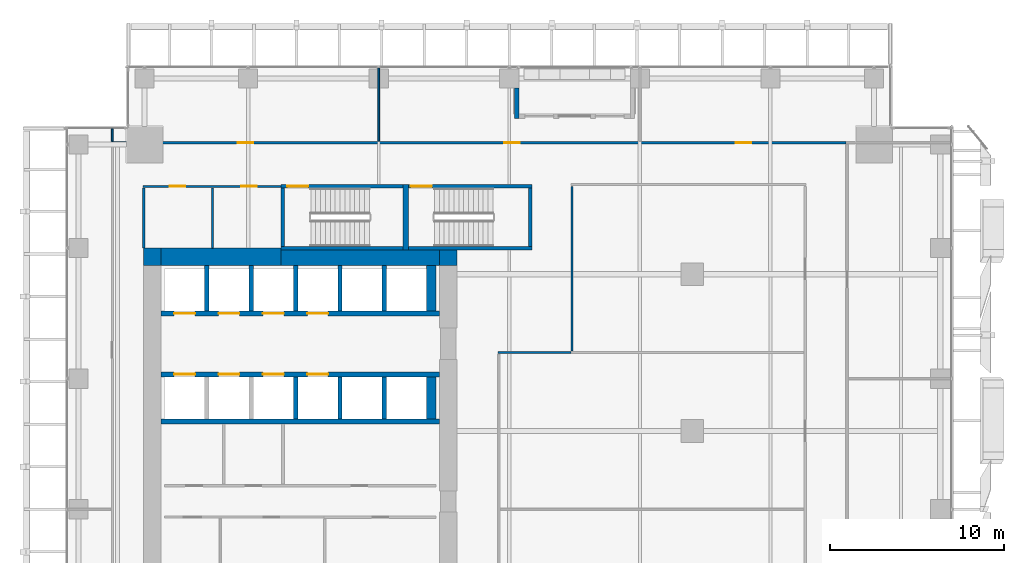
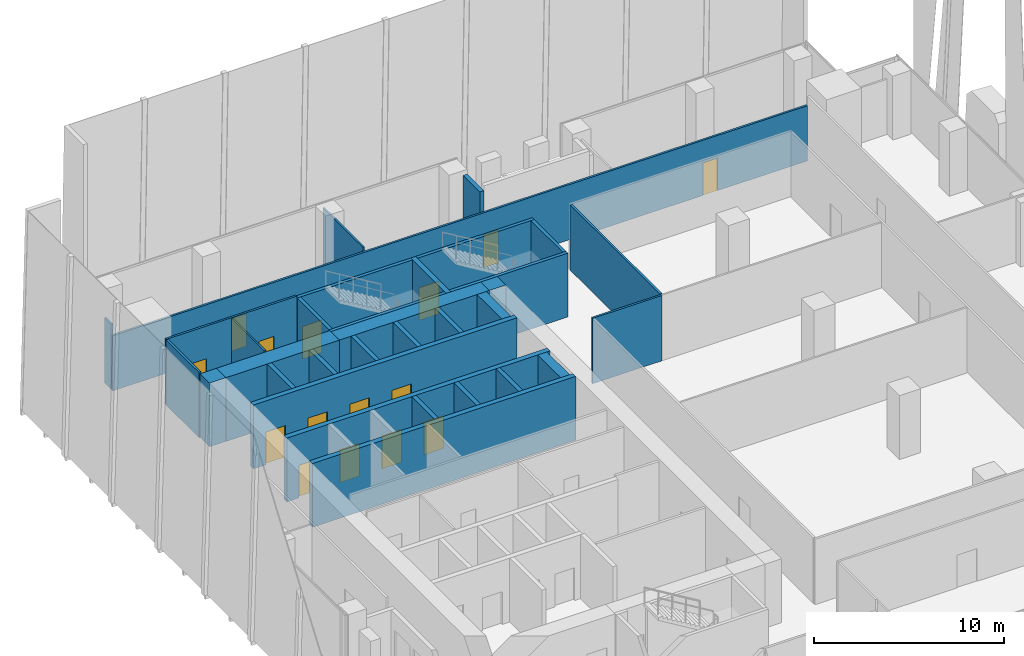
# One storey, part 28 of 34: 33 walls, 15 doors, 15 openings.
"""IFC4 building model written with IfcOpenShell, lengths in metres."""

from ifc_helpers import new_model, si_unit, direction, frame, frame_2d, origin, place, context, subcontext, project, spatial, rectangle, extrude, source, transform, mapped, material, layer, layer_set, type_object, element, fill, save


model = new_model("IFC4")

# Units and contexts
model_context = context("Model", 3, precision=1e-05, world=origin(), true_north=direction((0.0, 1.0)))
body_context = subcontext(model_context, "Body", "Model", "MODEL_VIEW")
ifc_project = project(units=[si_unit("LENGTHUNIT", "METRE"), si_unit("AREAUNIT", "SQUARE_METRE"), si_unit("VOLUMEUNIT", "CUBIC_METRE"), si_unit("PLANEANGLEUNIT", "RADIAN"), si_unit("MASSUNIT", "GRAM", prefix="KILO")], contexts=[model_context])

# Site, building, storey
site_placement = place(None, origin())
site = spatial("IfcSite", under=ifc_project, at=site_placement, CompositionType="ELEMENT")
building_placement = place(site_placement, origin())
building = spatial("IfcBuilding", under=site, at=building_placement, Name="Khomas Fold Tower", CompositionType="ELEMENT")
storey_placement = place(building_placement, frame((0.0, 0.0, 114.699951171875)))
storey = spatial("IfcBuildingStorey", under=building, at=storey_placement, Name="L24", CompositionType="ELEMENT", Elevation=114.699951171875)

# Walls
ifc_material_1 = material(Name="Concrete C70/85", Category="concrete")
ifc_layer_1 = layer(ifc_material_1, 1.0)
ifc_layer_set_1 = layer_set([ifc_layer_1], Name="Concrete C70/85")
wall_type_1 = type_object("IfcWallType", Name="Core wall 1000", PredefinedType="SHEAR", material=ifc_layer_set_1)
shared_shape_1 = source(origin(), body_context, "Body", "SweptSolid", [
    extrude(rectangle(XDim=6.89990234375, YDim=1.0, at=frame_2d((3.449951171875, 0.0))), origin(), (0.0, 0.0, 1.0), 4.10009765625),
])
wall_1_placement = place(storey_placement, frame((7.0, 41.5, 0.0), z_axis=(0.0, 0.0, 1.0), x_axis=(1.0, 0.0, 0.0)))
element("IfcWall", 1, at=wall_1_placement, inside=storey, type_object=wall_type_1, Name="Core wall CW-L-N-L21", PredefinedType="SHEAR", context=body_context, shape_type="MappedRepresentation", body=[
    mapped(shared_shape_1, transform((0.0, 0.0, 0.0))),
])
ifc_material_2 = material(Name="Concrete C70/85", Category="concrete")
ifc_layer_2 = layer(ifc_material_2, 0.89990234375)
ifc_layer_set_2 = layer_set([ifc_layer_2], Name="Concrete C70/85")
wall_type_2 = type_object("IfcWallType", Name="Core wall 900", PredefinedType="SHEAR", material=ifc_layer_set_2)
shared_shape_2 = source(origin(), body_context, "Body", "SweptSolid", [
    extrude(rectangle(XDim=9.10009765625, YDim=0.89990234375, at=frame_2d((4.550048828125, 0.0))), origin(), (0.0, 0.0, 1.0), 4.10009765625),
])
wall_2_placement = place(storey_placement, frame((13.89990234375, 41.449951171875, 0.0), z_axis=(0.0, 0.0, 1.0), x_axis=(1.0, 0.0, 0.0)))
element("IfcWall", 2, at=wall_2_placement, inside=storey, type_object=wall_type_2, Name="Core wall CW-L-N-L21-1", PredefinedType="SHEAR", context=body_context, shape_type="MappedRepresentation", body=[
    mapped(shared_shape_2, transform((0.0, 0.0, 0.0))),
])
ifc_material_3 = material(Name="Concrete C70/85", Category="concrete")
ifc_layer_3 = layer(ifc_material_3, 0.89990234375)
ifc_layer_set_3 = layer_set([ifc_layer_3], Name="Concrete C70/85")
wall_type_3 = type_object("IfcWallType", Name="Core corner wall 900", PredefinedType="SHEAR", material=ifc_layer_set_3)
shared_shape_3 = source(origin(), body_context, "Body", "SweptSolid", [
    extrude(rectangle(XDim=1.0, YDim=0.89990234375, at=frame_2d((0.5, 0.0))), origin(), (0.0, 0.0, 1.0), 4.10009765625),
])
wall_3_placement = place(storey_placement, frame((23.0, 41.449951171875, 0.0), z_axis=(0.0, 0.0, 1.0), x_axis=(1.0, 0.0, 0.0)))
element("IfcWall", 3, at=wall_3_placement, inside=storey, type_object=wall_type_3, Name="Core wall CW-L-NE-L21", PredefinedType="SHEAR", context=body_context, shape_type="MappedRepresentation", body=[
    mapped(shared_shape_3, transform((0.0, 0.0, 0.0))),
])
ifc_material_4 = material(Name="Concrete C70/85", Category="concrete")
ifc_layer_4 = layer(ifc_material_4, 1.0)
ifc_layer_set_4 = layer_set([ifc_layer_4], Name="Concrete C70/85")
wall_type_4 = type_object("IfcWallType", Name="Core corner wall 1000", PredefinedType="SHEAR", material=ifc_layer_set_4)
shared_shape_4 = source(origin(), body_context, "Body", "SweptSolid", [
    extrude(rectangle(XDim=1.0, YDim=1.0, at=frame_2d((0.5, 0.0))), origin(), (0.0, 0.0, 1.0), 4.10009765625),
])
wall_4_placement = place(storey_placement, frame((6.0, 41.5, 0.0), z_axis=(0.0, 0.0, 1.0), x_axis=(1.0, 0.0, 0.0)))
element("IfcWall", 4, at=wall_4_placement, inside=storey, type_object=wall_type_4, Name="Core wall CW-L-NW-L21", PredefinedType="SHEAR", context=body_context, shape_type="MappedRepresentation", body=[
    mapped(shared_shape_4, transform((0.0, 0.0, 0.0))),
])

# Wall, opening, door
ifc_material_5 = material(Name="Concrete C50/60", Category="concrete")
ifc_layer_5 = layer(ifc_material_5, 0.199951171875)
ifc_layer_set_5 = layer_set([ifc_layer_5], Name="Concrete C50/60")
wall_type_5 = type_object("IfcWallType", Name="Stair wall 200", PredefinedType="SHEAR", material=ifc_layer_set_5)
shared_shape_5 = source(origin(), body_context, "Body", "SweptSolid", [
    extrude(rectangle(XDim=7.0, YDim=0.199951171875, at=frame_2d((3.5, 0.0))), origin(), (0.0, 0.0, 1.0), 4.10009765625),
])
wall_5_placement = place(storey_placement, frame((13.89990234375, 45.550048828125, 0.0), z_axis=(0.0, 0.0, 1.0), x_axis=(1.0, 0.0, 0.0)))
wall_5 = element("IfcWall", 5, at=wall_5_placement, inside=storey, type_object=wall_type_5, Name="Stair wall SW-ST1-N", PredefinedType="SHEAR", context=body_context, shape_type="MappedRepresentation", body=[
    mapped(shared_shape_5, transform((0.0, 0.0, 0.0))),
])
shared_shape_6 = source(origin(), body_context, "Body", "SweptSolid", [
    extrude(rectangle(XDim=1.199951171875, YDim=2.10009765625, at=frame_2d((0.60009765625, 1.050048828125))), frame((0.0, 0.10986328125, 0.0), z_axis=(0.0, -1.0, 0.0), x_axis=(1.0, 0.0, 0.0)), (0.0, 0.0, 1.0), 0.219970703125),
])
opening_1_placement = place(wall_5_placement, frame((0.35009765625, 0.0, 0.0)))
opening_1 = element("IfcOpeningElement", 6, at=opening_1_placement, cuts=wall_5, Name="Opening SD-ST1", PredefinedType="OPENING", context=body_context, shape_type="MappedRepresentation", body=[
    mapped(shared_shape_6, transform((0.0, 0.0, 0.0))),
])
ifc_material_6 = material(Name="Steel door leaf", Category="steel")
door_type_1 = type_object("IfcDoorType", Name="Stair door 1200x2100 left-hand", OperationType="SINGLE_SWING_LEFT", PredefinedType="DOOR", material=ifc_material_6)
shared_shape_7 = source(origin(), body_context, "Body", "SweptSolid", [
    extrude(rectangle(XDim=1.199951171875, YDim=2.10009765625, at=frame_2d((0.60009765625, 1.050048828125))), frame((0.0, 0.02490234375, 0.0), z_axis=(0.0, -1.0, 0.0), x_axis=(1.0, 0.0, 0.0)), (0.0, 0.0, 1.0), 0.050048828125),
])
door_1_placement = place(opening_1_placement, origin())
door_1 = element("IfcDoor", 7, at=door_1_placement, inside=storey, type_object=door_type_1, Name="Stair door", OperationType="SINGLE_SWING_LEFT", OverallHeight=2.10009765625, OverallWidth=1.199951171875, PredefinedType="DOOR", context=body_context, shape_type="MappedRepresentation", body=[
    mapped(shared_shape_7, transform((0.0, 0.0, 0.0))),
])
fill(opening_1, door_1)

# Wall
wall_6_placement = place(storey_placement, frame((13.89990234375, 42.0, 0.0), z_axis=(0.0, 0.0, 1.0), x_axis=(1.0, 0.0, 0.0)))
element("IfcWall", 8, at=wall_6_placement, inside=storey, type_object=wall_type_5, Name="Stair wall SW-ST1-S", PredefinedType="SHEAR", context=body_context, shape_type="MappedRepresentation", body=[
    mapped(shared_shape_5, transform((0.0, 0.0, 0.0))),
])

# Wall, opening, door
shared_shape_8 = source(origin(), body_context, "Body", "SweptSolid", [
    extrude(rectangle(XDim=7.10009765625, YDim=0.199951171875, at=frame_2d((3.550048828125, 0.0))), origin(), (0.0, 0.0, 1.0), 4.10009765625),
])
wall_7_placement = place(storey_placement, frame((21.199951171875, 45.550048828125, 0.0), z_axis=(0.0, 0.0, 1.0), x_axis=(1.0, 0.0, 0.0)))
wall_7 = element("IfcWall", 9, at=wall_7_placement, inside=storey, type_object=wall_type_5, Name="Stair wall SW-ST3-N", PredefinedType="SHEAR", context=body_context, shape_type="MappedRepresentation", body=[
    mapped(shared_shape_8, transform((0.0, 0.0, 0.0))),
])
opening_2_placement = place(wall_7_placement, frame((0.14990234375, 0.0, 0.0)))
opening_2 = element("IfcOpeningElement", 10, at=opening_2_placement, cuts=wall_7, Name="Opening SD-ST3", PredefinedType="OPENING", context=body_context, shape_type="MappedRepresentation", body=[
    mapped(shared_shape_6, transform((0.0, 0.0, 0.0))),
])
door_2_placement = place(opening_2_placement, origin())
door_2 = element("IfcDoor", 11, at=door_2_placement, inside=storey, type_object=door_type_1, Name="Stair door", OperationType="SINGLE_SWING_LEFT", OverallHeight=2.10009765625, OverallWidth=1.199951171875, PredefinedType="DOOR", context=body_context, shape_type="MappedRepresentation", body=[
    mapped(shared_shape_7, transform((0.0, 0.0, 0.0))),
])
fill(opening_2, door_2)

# Walls
wall_8_placement = place(storey_placement, frame((21.199951171875, 42.0, 0.0), z_axis=(0.0, 0.0, 1.0), x_axis=(1.0, 0.0, 0.0)))
element("IfcWall", 12, at=wall_8_placement, inside=storey, type_object=wall_type_5, Name="Stair wall SW-ST3-S", PredefinedType="SHEAR", context=body_context, shape_type="MappedRepresentation", body=[
    mapped(shared_shape_8, transform((0.0, 0.0, 0.0))),
])
ifc_material_7 = material(Name="Concrete C50/60", Category="concrete")
ifc_layer_6 = layer(ifc_material_7, 0.300048828125)
ifc_layer_set_6 = layer_set([ifc_layer_6], Name="Concrete C50/60")
wall_type_6 = type_object("IfcWallType", Name="Stair wall 300", PredefinedType="SHEAR", material=ifc_layer_set_6)
shared_shape_9 = source(origin(), body_context, "Body", "SweptSolid", [
    extrude(rectangle(XDim=3.75, YDim=0.300048828125, at=frame_2d((1.875, 0.0))), origin(), (0.0, 0.0, 1.0), 4.10009765625),
])
wall_9_placement = place(storey_placement, frame((21.050048828125, 41.89990234375, 0.0), z_axis=(0.0, 0.0, 1.0), x_axis=(0.0, 1.0, 0.0)))
element("IfcWall", 13, at=wall_9_placement, inside=storey, type_object=wall_type_6, Name="Stair wall SW-ST1-E", PredefinedType="SHEAR", context=body_context, shape_type="MappedRepresentation", body=[
    mapped(shared_shape_9, transform((0.0, 0.0, 0.0))),
])
shared_shape_10 = source(origin(), body_context, "Body", "SweptSolid", [
    extrude(rectangle(XDim=3.349853515625, YDim=0.199951171875, at=frame_2d((1.6748046875, 0.0))), origin(), (0.0, 0.0, 1.0), 4.10009765625),
])
for number, where, z_axis, x_axis, name in (
    (14, (14.0, 42.10009765625, 0.0), (0.0, 0.0, 1.0), (0.0, 1.0, 0.0), "Stair wall SW-ST1-W"),
    (15, (28.199951171875, 42.10009765625, 0.0), (0.0, 0.0, 1.0), (0.0, 1.0, 0.0), "Stair wall SW-ST3-E"),
):
    element("IfcWall", number, at=place(storey_placement, frame(where, z_axis=z_axis, x_axis=x_axis)), inside=storey, type_object=wall_type_5, Name=name, PredefinedType="SHEAR", context=body_context, shape_type="MappedRepresentation", body=[
        mapped(shared_shape_10, transform((0.0, 0.0, 0.0))),
    ])
ifc_material_8 = material(Name="Concrete C50/60", Category="concrete")
ifc_layer_7 = layer(ifc_material_8, 0.300048828125)
ifc_layer_set_7 = layer_set([ifc_layer_7], Name="Concrete C50/60")
wall_type_7 = type_object("IfcWallType", Name="Shaft wall 300", PredefinedType="STANDARD", material=ifc_layer_set_7)
shared_shape_11 = source(origin(), body_context, "Body", "SweptSolid", [
    extrude(rectangle(XDim=16.0, YDim=0.300048828125, at=frame_2d((8.0, 0.0))), origin(), (0.0, 0.0, 1.0), 4.10009765625),
])
wall_10_placement = place(storey_placement, frame((7.0, 32.050048828125, 0.0), z_axis=(0.0, 0.0, 1.0), x_axis=(1.0, 0.0, 0.0)))
element("IfcWall", 16, at=wall_10_placement, inside=storey, type_object=wall_type_7, Name="Core wall SW-HRN-B", PredefinedType="STANDARD", context=body_context, shape_type="MappedRepresentation", body=[
    mapped(shared_shape_11, transform((0.0, 0.0, 0.0))),
])

# Wall, openings, doors
wall_11_placement = place(storey_placement, frame((7.0, 38.25, 0.0), z_axis=(0.0, 0.0, 1.0), x_axis=(1.0, 0.0, 0.0)))
wall_11 = element("IfcWall", 17, at=wall_11_placement, inside=storey, type_object=wall_type_7, Name="Core wall SW-LRN-F", PredefinedType="STANDARD", context=body_context, shape_type="MappedRepresentation", body=[
    mapped(shared_shape_11, transform((0.0, 0.0, 0.0))),
])
shared_shape_12 = source(origin(), body_context, "Body", "SweptSolid", [
    extrude(rectangle(XDim=1.199951171875, YDim=2.10009765625, at=frame_2d((0.60009765625, 1.050048828125))), frame((0.0, 0.159912109375, 0.0), z_axis=(0.0, -1.0, 0.0), x_axis=(1.0, 0.0, 0.0)), (0.0, 0.0, 1.0), 0.320068359375),
])
opening_3_placement = place(wall_11_placement, frame((0.75, 0.0, 0.0)))
opening_3 = element("IfcOpeningElement", 18, at=opening_3_placement, cuts=wall_11, Name="Opening LD-LR5", PredefinedType="OPENING", context=body_context, shape_type="MappedRepresentation", body=[
    mapped(shared_shape_12, transform((0.0, 0.0, 0.0))),
])
opening_4_placement = place(wall_11_placement, frame((3.300048828125, 0.0, 0.0)))
opening_4 = element("IfcOpeningElement", 19, at=opening_4_placement, cuts=wall_11, Name="Opening LD-LR6", PredefinedType="OPENING", context=body_context, shape_type="MappedRepresentation", body=[
    mapped(shared_shape_12, transform((0.0, 0.0, 0.0))),
])
opening_5_placement = place(wall_11_placement, frame((5.85009765625, 0.0, 0.0)))
opening_5 = element("IfcOpeningElement", 20, at=opening_5_placement, cuts=wall_11, Name="Opening LD-LR7", PredefinedType="OPENING", context=body_context, shape_type="MappedRepresentation", body=[
    mapped(shared_shape_12, transform((0.0, 0.0, 0.0))),
])
opening_6_placement = place(wall_11_placement, frame((8.39990234375, 0.0, 0.0)))
opening_6 = element("IfcOpeningElement", 21, at=opening_6_placement, cuts=wall_11, Name="Opening LD-LR8", PredefinedType="OPENING", context=body_context, shape_type="MappedRepresentation", body=[
    mapped(shared_shape_12, transform((0.0, 0.0, 0.0))),
])
ifc_material_9 = material(Name="Steel door leaf", Category="steel")
door_type_2 = type_object("IfcDoorType", Name="Landing door 1200x2100", OperationType="DOUBLE_DOOR_SLIDING", PredefinedType="DOOR", material=ifc_material_9)
door_3_placement = place(opening_3_placement, origin())
door_3 = element("IfcDoor", 22, at=door_3_placement, inside=storey, type_object=door_type_2, Name="Lift landing door", OperationType="DOUBLE_DOOR_SLIDING", OverallHeight=2.10009765625, OverallWidth=1.199951171875, PredefinedType="DOOR", context=body_context, shape_type="MappedRepresentation", body=[
    mapped(shared_shape_7, transform((0.0, 0.0, 0.0))),
])
fill(opening_3, door_3)
door_4_placement = place(opening_4_placement, origin())
door_4 = element("IfcDoor", 23, at=door_4_placement, inside=storey, type_object=door_type_2, Name="Lift landing door", OperationType="DOUBLE_DOOR_SLIDING", OverallHeight=2.10009765625, OverallWidth=1.199951171875, PredefinedType="DOOR", context=body_context, shape_type="MappedRepresentation", body=[
    mapped(shared_shape_7, transform((0.0, 0.0, 0.0))),
])
fill(opening_4, door_4)
door_5_placement = place(opening_5_placement, origin())
door_5 = element("IfcDoor", 24, at=door_5_placement, inside=storey, type_object=door_type_2, Name="Lift landing door", OperationType="DOUBLE_DOOR_SLIDING", OverallHeight=2.10009765625, OverallWidth=1.199951171875, PredefinedType="DOOR", context=body_context, shape_type="MappedRepresentation", body=[
    mapped(shared_shape_7, transform((0.0, 0.0, 0.0))),
])
fill(opening_5, door_5)
door_6_placement = place(opening_6_placement, origin())
door_6 = element("IfcDoor", 25, at=door_6_placement, inside=storey, type_object=door_type_2, Name="Lift landing door", OperationType="DOUBLE_DOOR_SLIDING", OverallHeight=2.10009765625, OverallWidth=1.199951171875, PredefinedType="DOOR", context=body_context, shape_type="MappedRepresentation", body=[
    mapped(shared_shape_7, transform((0.0, 0.0, 0.0))),
])
fill(opening_6, door_6)

wall_12_placement = place(storey_placement, frame((7.0, 34.75, 0.0), z_axis=(0.0, 0.0, 1.0), x_axis=(1.0, 0.0, 0.0)))
wall_12 = element("IfcWall", 26, at=wall_12_placement, inside=storey, type_object=wall_type_7, Name="Core wall SW-LRS-F", PredefinedType="STANDARD", context=body_context, shape_type="MappedRepresentation", body=[
    mapped(shared_shape_11, transform((0.0, 0.0, 0.0))),
])
opening_7_placement = place(wall_12_placement, frame((0.75, 0.0, 0.0)))
opening_7 = element("IfcOpeningElement", 27, at=opening_7_placement, cuts=wall_12, Name="Opening LD-LR1", PredefinedType="OPENING", context=body_context, shape_type="MappedRepresentation", body=[
    mapped(shared_shape_12, transform((0.0, 0.0, 0.0))),
])
opening_8_placement = place(wall_12_placement, frame((3.300048828125, 0.0, 0.0)))
opening_8 = element("IfcOpeningElement", 28, at=opening_8_placement, cuts=wall_12, Name="Opening LD-LR2", PredefinedType="OPENING", context=body_context, shape_type="MappedRepresentation", body=[
    mapped(shared_shape_12, transform((0.0, 0.0, 0.0))),
])
opening_9_placement = place(wall_12_placement, frame((5.85009765625, 0.0, 0.0)))
opening_9 = element("IfcOpeningElement", 29, at=opening_9_placement, cuts=wall_12, Name="Opening LD-LR3", PredefinedType="OPENING", context=body_context, shape_type="MappedRepresentation", body=[
    mapped(shared_shape_12, transform((0.0, 0.0, 0.0))),
])
opening_10_placement = place(wall_12_placement, frame((8.39990234375, 0.0, 0.0)))
opening_10 = element("IfcOpeningElement", 30, at=opening_10_placement, cuts=wall_12, Name="Opening LD-LR4", PredefinedType="OPENING", context=body_context, shape_type="MappedRepresentation", body=[
    mapped(shared_shape_12, transform((0.0, 0.0, 0.0))),
])
door_7_placement = place(opening_7_placement, origin())
door_7 = element("IfcDoor", 31, at=door_7_placement, inside=storey, type_object=door_type_2, Name="Lift landing door", OperationType="DOUBLE_DOOR_SLIDING", OverallHeight=2.10009765625, OverallWidth=1.199951171875, PredefinedType="DOOR", context=body_context, shape_type="MappedRepresentation", body=[
    mapped(shared_shape_7, transform((0.0, 0.0, 0.0))),
])
fill(opening_7, door_7)
door_8_placement = place(opening_8_placement, origin())
door_8 = element("IfcDoor", 32, at=door_8_placement, inside=storey, type_object=door_type_2, Name="Lift landing door", OperationType="DOUBLE_DOOR_SLIDING", OverallHeight=2.10009765625, OverallWidth=1.199951171875, PredefinedType="DOOR", context=body_context, shape_type="MappedRepresentation", body=[
    mapped(shared_shape_7, transform((0.0, 0.0, 0.0))),
])
fill(opening_8, door_8)
door_9_placement = place(opening_9_placement, origin())
door_9 = element("IfcDoor", 33, at=door_9_placement, inside=storey, type_object=door_type_2, Name="Lift landing door", OperationType="DOUBLE_DOOR_SLIDING", OverallHeight=2.10009765625, OverallWidth=1.199951171875, PredefinedType="DOOR", context=body_context, shape_type="MappedRepresentation", body=[
    mapped(shared_shape_7, transform((0.0, 0.0, 0.0))),
])
fill(opening_9, door_9)
door_10_placement = place(opening_10_placement, origin())
door_10 = element("IfcDoor", 34, at=door_10_placement, inside=storey, type_object=door_type_2, Name="Lift landing door", OperationType="DOUBLE_DOOR_SLIDING", OverallHeight=2.10009765625, OverallWidth=1.199951171875, PredefinedType="DOOR", context=body_context, shape_type="MappedRepresentation", body=[
    mapped(shared_shape_7, transform((0.0, 0.0, 0.0))),
])
fill(opening_10, door_10)

# Walls
ifc_material_10 = material(Name="Concrete C50/60", Category="concrete")
ifc_layer_8 = layer(ifc_material_10, 0.25)
ifc_layer_set_8 = layer_set([ifc_layer_8], Name="Concrete C50/60")
wall_type_8 = type_object("IfcWallType", Name="Shaft wall 250", PredefinedType="STANDARD", material=ifc_layer_set_8)
shared_shape_13 = source(origin(), body_context, "Body", "SweptSolid", [
    extrude(rectangle(XDim=2.60009765625, YDim=0.25, at=frame_2d((1.300048828125, 0.0))), origin(), (0.0, 0.0, 1.0), 4.10009765625),
])
for number, where, z_axis, x_axis, name in (
    (35, (9.625, 38.39990234375, 0.0), (0.0, 0.0, 1.0), (0.0, 1.0, 0.0), "Core wall SW-LRN-P1"),
    (36, (12.175048828125, 38.39990234375, 0.0), (0.0, 0.0, 1.0), (0.0, 1.0, 0.0), "Core wall SW-LRN-P2"),
    (37, (14.72509765625, 38.39990234375, 0.0), (0.0, 0.0, 1.0), (0.0, 1.0, 0.0), "Core wall SW-LRN-P3"),
    (38, (17.27490234375, 38.39990234375, 0.0), (0.0, 0.0, 1.0), (0.0, 1.0, 0.0), "Core wall SW-LRN-P4"),
    (39, (19.824951171875, 38.39990234375, 0.0), (0.0, 0.0, 1.0), (0.0, 1.0, 0.0), "Core wall SW-LRN-P5"),
):
    element("IfcWall", number, at=place(storey_placement, frame(where, z_axis=z_axis, x_axis=x_axis)), inside=storey, type_object=wall_type_8, Name=name, PredefinedType="STANDARD", context=body_context, shape_type="MappedRepresentation", body=[
        mapped(shared_shape_13, transform((0.0, 0.0, 0.0))),
    ])
ifc_material_11 = material(Name="Concrete C50/60", Category="concrete")
ifc_layer_9 = layer(ifc_material_11, 0.550048828125)
ifc_layer_set_9 = layer_set([ifc_layer_9], Name="Concrete C50/60")
wall_type_9 = type_object("IfcWallType", Name="Shaft wall 550", PredefinedType="STANDARD", material=ifc_layer_set_9)
shared_shape_14 = source(origin(), body_context, "Body", "SweptSolid", [
    extrude(rectangle(XDim=2.60009765625, YDim=0.550048828125, at=frame_2d((1.300048828125, 0.0))), origin(), (0.0, 0.0, 1.0), 4.10009765625),
])
wall_13_placement = place(storey_placement, frame((22.52490234375, 38.39990234375, 0.0), z_axis=(0.0, 0.0, 1.0), x_axis=(0.0, 1.0, 0.0)))
element("IfcWall", 40, at=wall_13_placement, inside=storey, type_object=wall_type_9, Name="Core wall SW-LRN-PE", PredefinedType="STANDARD", context=body_context, shape_type="MappedRepresentation", body=[
    mapped(shared_shape_14, transform((0.0, 0.0, 0.0))),
])
shared_shape_15 = source(origin(), body_context, "Body", "SweptSolid", [
    extrude(rectangle(XDim=2.400146484375, YDim=0.25, at=frame_2d((1.2001953125, 0.0))), origin(), (0.0, 0.0, 1.0), 4.10009765625),
])
for number, where, z_axis, x_axis, name in (
    (41, (14.72509765625, 32.199951171875, 0.0), (0.0, 0.0, 1.0), (0.0, 1.0, 0.0), "Core wall SW-LRS-P3"),
    (42, (17.27490234375, 32.199951171875, 0.0), (0.0, 0.0, 1.0), (0.0, 1.0, 0.0), "Core wall SW-LRS-P4"),
    (43, (19.824951171875, 32.199951171875, 0.0), (0.0, 0.0, 1.0), (0.0, 1.0, 0.0), "Core wall SW-LRS-P5"),
):
    element("IfcWall", number, at=place(storey_placement, frame(where, z_axis=z_axis, x_axis=x_axis)), inside=storey, type_object=wall_type_8, Name=name, PredefinedType="STANDARD", context=body_context, shape_type="MappedRepresentation", body=[
        mapped(shared_shape_15, transform((0.0, 0.0, 0.0))),
    ])
shared_shape_16 = source(origin(), body_context, "Body", "SweptSolid", [
    extrude(rectangle(XDim=2.400146484375, YDim=0.550048828125, at=frame_2d((1.2001953125, 0.0))), origin(), (0.0, 0.0, 1.0), 4.10009765625),
])
wall_14_placement = place(storey_placement, frame((22.52490234375, 32.199951171875, 0.0), z_axis=(0.0, 0.0, 1.0), x_axis=(0.0, 1.0, 0.0)))
element("IfcWall", 44, at=wall_14_placement, inside=storey, type_object=wall_type_9, Name="Core wall SW-LRS-PE", PredefinedType="STANDARD", context=body_context, shape_type="MappedRepresentation", body=[
    mapped(shared_shape_16, transform((0.0, 0.0, 0.0))),
])
ifc_material_12 = material(Name="Natural stone", Category="masonry")
ifc_layer_10 = layer(ifc_material_12, 0.0400390625)
ifc_material_13 = material(Name="Mineral wool insulation", Category="insulation")
ifc_layer_11 = layer(ifc_material_13, 0.10009765625)
ifc_material_14 = material(Name="Masonry", Category="masonry")
ifc_layer_12 = layer(ifc_material_14, 0.110107421875)
ifc_layer_set_10 = layer_set([ifc_layer_10, ifc_layer_11, ifc_layer_12], Name="Stone-faced insulated masonry")
wall_type_10 = type_object("IfcWallType", Name="BL-Balcony wall", PredefinedType="SOLIDWALL", material=ifc_layer_set_10)
shared_shape_17 = source(origin(), body_context, "Body", "SweptSolid", [
    extrude(rectangle(XDim=1.75, YDim=0.25, at=frame_2d((0.875, 0.0))), origin(), (0.0, 0.0, 1.0), 3.800048828125),
])
wall_15_placement = place(storey_placement, frame((27.425048828125, 51.199951171875, 0.0), z_axis=(0.0, 0.0, 1.0), x_axis=(0.0, -1.0, 0.0)))
element("IfcWall", 45, at=wall_15_placement, inside=storey, type_object=wall_type_10, Name="Balcony return wall BAL-L24-N3-lo", PredefinedType="SOLIDWALL", context=body_context, shape_type="MappedRepresentation", body=[
    mapped(shared_shape_17, transform((0.0, 0.0, 0.0))),
])

# Wall, openings, doors
ifc_material_15 = material(Name="Plasterboard partition")
ifc_layer_13 = layer(ifc_material_15, 0.125)
ifc_layer_set_11 = layer_set([ifc_layer_13], Name="Plasterboard partition")
wall_type_11 = type_object("IfcWallType", Name="Partition PW2 125", PredefinedType="PARTITIONING", material=ifc_layer_set_11)
shared_shape_18 = source(origin(), body_context, "Body", "SweptSolid", [
    extrude(rectangle(XDim=7.949951171875, YDim=0.125, at=frame_2d((3.97509765625, 0.0))), origin(), (0.0, 0.0, 1.0), 4.199951171875),
])
wall_16_placement = place(storey_placement, frame((5.949951171875, 45.550048828125, 0.0), z_axis=(0.0, 0.0, 1.0), x_axis=(1.0, 0.0, 0.0)))
wall_16 = element("IfcWall", 46, at=wall_16_placement, inside=storey, type_object=wall_type_11, Name="Partition", PredefinedType="PARTITIONING", context=body_context, shape_type="MappedRepresentation", body=[
    mapped(shared_shape_18, transform((0.0, 0.0, 0.0))),
])
shared_shape_19 = source(origin(), body_context, "Body", "SweptSolid", [
    extrude(rectangle(XDim=0.89990234375, YDim=2.10009765625, at=frame_2d((0.449951171875, 1.050048828125))), frame((0.0, 0.072509765625, 0.0), z_axis=(0.0, -1.0, 0.0), x_axis=(1.0, 0.0, 0.0)), (0.0, 0.0, 1.0), 0.14501953125),
])
opening_11_placement = place(wall_16_placement, frame((1.550048828125, 0.0, 0.0)))
opening_11 = element("IfcOpeningElement", 47, at=opening_11_placement, cuts=wall_16, Name="Opening 0005", PredefinedType="OPENING", context=body_context, shape_type="MappedRepresentation", body=[
    mapped(shared_shape_19, transform((0.0, 0.0, 0.0))),
])
opening_12_placement = place(wall_16_placement, frame((5.64990234375, 0.0, 0.0)))
opening_12 = element("IfcOpeningElement", 48, at=opening_12_placement, cuts=wall_16, Name="Opening 0004", PredefinedType="OPENING", context=body_context, shape_type="MappedRepresentation", body=[
    mapped(shared_shape_19, transform((0.0, 0.0, 0.0))),
])
ifc_material_16 = material(Name="Timber door leaf", Category="wood")
door_type_3 = type_object("IfcDoorType", Name="WC door 900x2100 left-hand", OperationType="SINGLE_SWING_LEFT", PredefinedType="DOOR", material=ifc_material_16)
shared_shape_20 = source(origin(), body_context, "Body", "SweptSolid", [
    extrude(rectangle(XDim=0.89990234375, YDim=2.10009765625, at=frame_2d((0.449951171875, 1.050048828125))), frame((0.0, 0.02490234375, 0.0), z_axis=(0.0, -1.0, 0.0), x_axis=(1.0, 0.0, 0.0)), (0.0, 0.0, 1.0), 0.050048828125),
])
door_11_placement = place(opening_11_placement, origin())
door_11 = element("IfcDoor", 49, at=door_11_placement, inside=storey, type_object=door_type_3, Name="WC door", OperationType="SINGLE_SWING_LEFT", OverallHeight=2.10009765625, OverallWidth=0.89990234375, PredefinedType="DOOR", context=body_context, shape_type="MappedRepresentation", body=[
    mapped(shared_shape_20, transform((0.0, 0.0, 0.0))),
])
fill(opening_11, door_11)
ifc_material_17 = material(Name="Timber door leaf", Category="wood")
door_type_4 = type_object("IfcDoorType", Name="WC door 900x2100 right-hand", OperationType="SINGLE_SWING_RIGHT", PredefinedType="DOOR", material=ifc_material_17)
door_12_placement = place(opening_12_placement, origin())
door_12 = element("IfcDoor", 50, at=door_12_placement, inside=storey, type_object=door_type_4, Name="WC door", OperationType="SINGLE_SWING_RIGHT", OverallHeight=2.10009765625, OverallWidth=0.89990234375, PredefinedType="DOOR", context=body_context, shape_type="MappedRepresentation", body=[
    mapped(shared_shape_20, transform((0.0, 0.0, 0.0))),
])
fill(opening_12, door_12)

# Walls
shared_shape_21 = source(origin(), body_context, "Body", "SweptSolid", [
    extrude(rectangle(XDim=4.199951171875, YDim=0.125, at=frame_2d((2.10009765625, 0.0))), origin(), (0.0, 0.0, 1.0), 4.199951171875),
])
wall_17_placement = place(storey_placement, frame((26.35009765625, 36.0, 0.0), z_axis=(0.0, 0.0, 1.0), x_axis=(1.0, 0.0, 0.0)))
element("IfcWall", 51, at=wall_17_placement, inside=storey, type_object=wall_type_11, Name="Partition", PredefinedType="PARTITIONING", context=body_context, shape_type="MappedRepresentation", body=[
    mapped(shared_shape_21, transform((0.0, 0.0, 0.0))),
])
shared_shape_22 = source(origin(), body_context, "Body", "SweptSolid", [
    extrude(rectangle(XDim=9.449951171875, YDim=0.125, at=frame_2d((4.72509765625, 0.0))), origin(), (0.0, 0.0, 1.0), 4.199951171875),
])
wall_18_placement = place(storey_placement, frame((30.60009765625, 36.10009765625, 0.0), z_axis=(0.0, 0.0, 1.0), x_axis=(0.0, 1.0, 0.0)))
element("IfcWall", 52, at=wall_18_placement, inside=storey, type_object=wall_type_11, Name="Partition", PredefinedType="PARTITIONING", context=body_context, shape_type="MappedRepresentation", body=[
    mapped(shared_shape_22, transform((0.0, 0.0, 0.0))),
])
shared_shape_23 = source(origin(), body_context, "Body", "SweptSolid", [
    extrude(rectangle(XDim=3.449951171875, YDim=0.125, at=frame_2d((1.72509765625, 0.0))), origin(), (0.0, 0.0, 1.0), 4.199951171875),
])
wall_19_placement = place(storey_placement, frame((6.0, 42.0, 0.0), z_axis=(0.0, 0.0, 1.0), x_axis=(0.0, 1.0, 0.0)))
element("IfcWall", 53, at=wall_19_placement, inside=storey, type_object=wall_type_11, Name="Partition", PredefinedType="PARTITIONING", context=body_context, shape_type="MappedRepresentation", body=[
    mapped(shared_shape_23, transform((0.0, 0.0, 0.0))),
])
ifc_material_18 = material(Name="Plasterboard partition")
ifc_layer_14 = layer(ifc_material_18, 0.10009765625)
ifc_layer_set_12 = layer_set([ifc_layer_14], Name="Plasterboard partition")
wall_type_12 = type_object("IfcWallType", Name="Partition PW1 100", PredefinedType="PARTITIONING", material=ifc_layer_set_12)
shared_shape_24 = source(origin(), body_context, "Body", "SweptSolid", [
    extrude(rectangle(XDim=3.449951171875, YDim=0.10009765625, at=frame_2d((1.72509765625, 0.0))), origin(), (0.0, 0.0, 1.0), 4.199951171875),
])
wall_20_placement = place(storey_placement, frame((9.949951171875, 42.0, 0.0), z_axis=(0.0, 0.0, 1.0), x_axis=(0.0, 1.0, 0.0)))
element("IfcWall", 54, at=wall_20_placement, inside=storey, type_object=wall_type_12, Name="Partition", PredefinedType="PARTITIONING", context=body_context, shape_type="MappedRepresentation", body=[
    mapped(shared_shape_24, transform((0.0, 0.0, 0.0))),
])

# Wall, openings, doors
shared_shape_25 = source(origin(), body_context, "Body", "SweptSolid", [
    extrude(rectangle(XDim=42.2001953125, YDim=0.125, at=frame_2d((21.10009765625, 0.0))), origin(), (0.0, 0.0, 1.0), 3.550048828125),
])
wall_21_placement = place(storey_placement, frame((4.14990234375, 48.050048828125, 0.0), z_axis=(0.0, 0.0, 1.0), x_axis=(1.0, 0.0, 0.0)))
wall_21 = element("IfcWall", 55, at=wall_21_placement, inside=storey, type_object=wall_type_11, Name="Partition", PredefinedType="PARTITIONING", context=body_context, shape_type="MappedRepresentation", body=[
    mapped(shared_shape_25, transform((0.0, 0.0, 0.0))),
])
opening_13_placement = place(wall_21_placement, frame((7.25, 0.0, 0.0)))
opening_13 = element("IfcOpeningElement", 56, at=opening_13_placement, cuts=wall_21, Name="Opening 0007", PredefinedType="OPENING", context=body_context, shape_type="MappedRepresentation", body=[
    mapped(shared_shape_19, transform((0.0, 0.0, 0.0))),
])
opening_14_placement = place(wall_21_placement, frame((22.550048828125, 0.0, 0.0)))
opening_14 = element("IfcOpeningElement", 57, at=opening_14_placement, cuts=wall_21, Name="Opening 0007", PredefinedType="OPENING", context=body_context, shape_type="MappedRepresentation", body=[
    mapped(shared_shape_19, transform((0.0, 0.0, 0.0))),
])
opening_15_placement = place(wall_21_placement, frame((35.85009765625, 0.0, 0.0)))
opening_15 = element("IfcOpeningElement", 58, at=opening_15_placement, cuts=wall_21, Name="Opening 0007", PredefinedType="OPENING", context=body_context, shape_type="MappedRepresentation", body=[
    mapped(shared_shape_19, transform((0.0, 0.0, 0.0))),
])
ifc_material_19 = material(Name="Timber door leaf", Category="wood")
door_type_5 = type_object("IfcDoorType", Name="Door 900x2100 left-hand", OperationType="SINGLE_SWING_LEFT", PredefinedType="DOOR", material=ifc_material_19)
door_13_placement = place(opening_13_placement, origin())
door_13 = element("IfcDoor", 59, at=door_13_placement, inside=storey, type_object=door_type_5, Name="Door", OperationType="SINGLE_SWING_LEFT", OverallHeight=2.10009765625, OverallWidth=0.89990234375, PredefinedType="DOOR", context=body_context, shape_type="MappedRepresentation", body=[
    mapped(shared_shape_20, transform((0.0, 0.0, 0.0))),
])
fill(opening_13, door_13)
door_14_placement = place(opening_14_placement, origin())
door_14 = element("IfcDoor", 60, at=door_14_placement, inside=storey, type_object=door_type_5, Name="Door", OperationType="SINGLE_SWING_LEFT", OverallHeight=2.10009765625, OverallWidth=0.89990234375, PredefinedType="DOOR", context=body_context, shape_type="MappedRepresentation", body=[
    mapped(shared_shape_20, transform((0.0, 0.0, 0.0))),
])
fill(opening_14, door_14)
door_15_placement = place(opening_15_placement, origin())
door_15 = element("IfcDoor", 61, at=door_15_placement, inside=storey, type_object=door_type_5, Name="Door", OperationType="SINGLE_SWING_LEFT", OverallHeight=2.10009765625, OverallWidth=0.89990234375, PredefinedType="DOOR", context=body_context, shape_type="MappedRepresentation", body=[
    mapped(shared_shape_20, transform((0.0, 0.0, 0.0))),
])
fill(opening_15, door_15)

# Walls
shared_shape_26 = source(origin(), body_context, "Body", "SweptSolid", [
    extrude(rectangle(XDim=0.7001953125, YDim=0.10009765625, at=frame_2d((0.35009765625, 0.0))), origin(), (0.0, 0.0, 1.0), 4.199951171875),
])
wall_22_placement = place(storey_placement, frame((4.199951171875, 48.14990234375, 0.0), z_axis=(0.0, 0.0, 1.0), x_axis=(0.0, 1.0, 0.0)))
element("IfcWall", 62, at=wall_22_placement, inside=storey, type_object=wall_type_12, Name="Partition", PredefinedType="PARTITIONING", context=body_context, shape_type="MappedRepresentation", body=[
    mapped(shared_shape_26, transform((0.0, 0.0, 0.0))),
])
shared_shape_27 = source(origin(), body_context, "Body", "SweptSolid", [
    extrude(rectangle(XDim=4.2001953125, YDim=0.10009765625, at=frame_2d((2.10009765625, 0.0))), origin(), (0.0, 0.0, 1.0), 3.77001953125),
])
wall_23_placement = place(storey_placement, frame((19.5, 48.14990234375, 0.0), z_axis=(0.0, 0.0, 1.0), x_axis=(0.0, 1.0, 0.0)))
element("IfcWall", 63, at=wall_23_placement, inside=storey, type_object=wall_type_12, Name="Partition", PredefinedType="PARTITIONING", context=body_context, shape_type="MappedRepresentation", body=[
    mapped(shared_shape_27, transform((0.0, 0.0, 0.0))),
])

save(model, "model.ifc")
